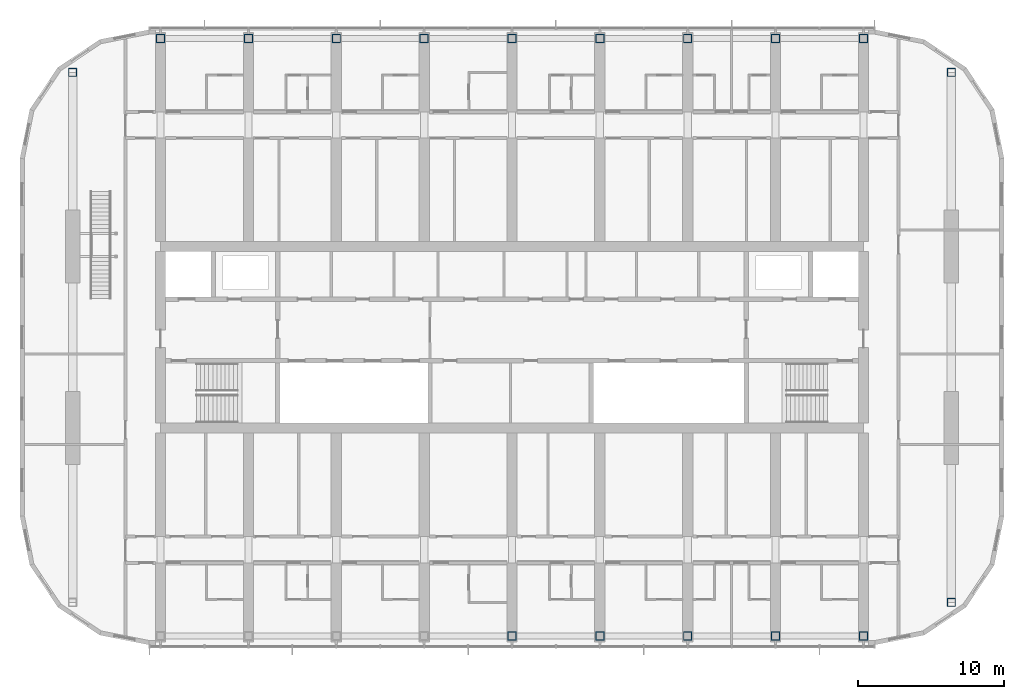
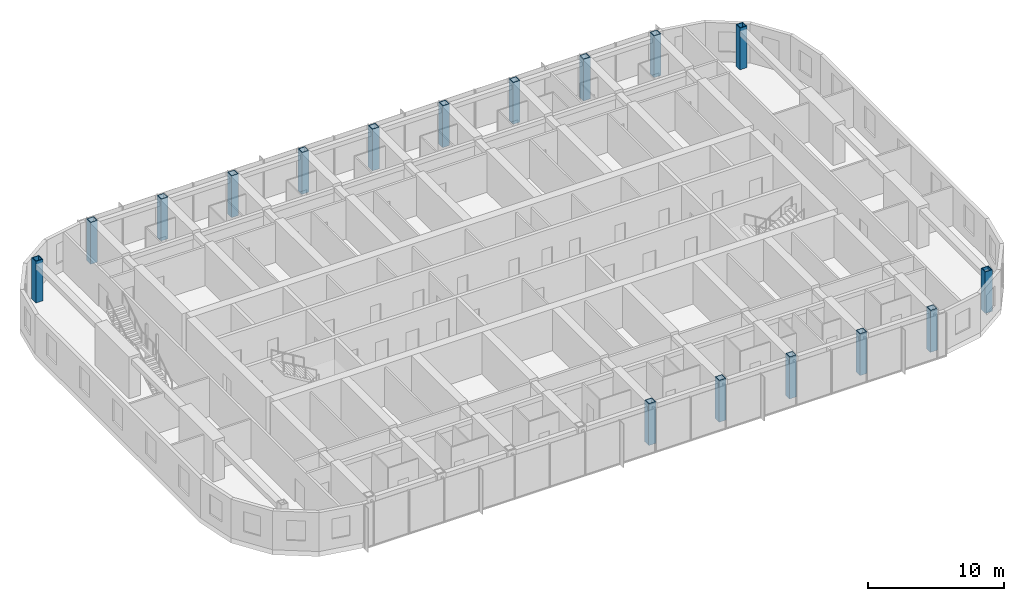
# One storey, part 3 of 28: 17 columns.
"""IFC4 building model written with IfcOpenShell, lengths in metres."""

import ifcopenshell
import ifcopenshell.guid

model = None  # the IFC model being written
_history = None  # IfcOwnerHistory: only IFC2X3 demands one
_inside = {}  # id of a spatial element -> (the spatial element, [elements in it])
_under = {}  # id of a project, library or spatial element -> (it, [spatial elements below it])
_declared = {}  # id of a project -> (the project, [libraries it declares])
_typed = {}  # id of a type object -> (the type object, [elements of that type])
_made_of = {}  # id of a material, layer set ... -> (it, [elements and type objects made of it])


def new_model(schema):
    """Start an empty IFC model of exactly this schema.

    Asked for "IFC4X3", IfcOpenShell would pick the latest addendum, in which some entities
    have other attributes; the version numbers below select the first issue.
    IFC2X3 requires an IfcOwnerHistory on every rooted entity: one is made here for all.
    """
    global model, _history
    if schema == "IFC4X3":
        model = ifcopenshell.file(schema_version=(4, 3, 0, 0))
    else:
        model = ifcopenshell.file(schema=schema)
    _inside.clear()
    _under.clear()
    _declared.clear()
    _typed.clear()
    _made_of.clear()
    _history = None
    if model.schema == "IFC2X3":
        org = make("IfcOrganization", Name="unknown")
        user = make(
            "IfcPersonAndOrganization",
            ThePerson=make("IfcPerson", FamilyName="unknown"),
            TheOrganization=org,
        )
        app = make(
            "IfcApplication",
            ApplicationDeveloper=org,
            Version="unknown",
            ApplicationFullName="unknown",
            ApplicationIdentifier="unknown",
        )
        _history = make(
            "IfcOwnerHistory",
            OwningUser=user,
            OwningApplication=app,
            ChangeAction="ADDED",
            CreationDate=0,
        )
    return model


def make(cls, **values):
    """One entity of the class cls with the attributes given. An attribute that is None is left unset."""
    return model.create_entity(
        cls, **{name: value for name, value in values.items() if value is not None}
    )


def rooted(cls, **values):
    """An entity with a GlobalId (a new one), such as an element, a storey or a relation."""
    return make(cls, GlobalId=ifcopenshell.guid.new(), OwnerHistory=_history, **values)


def si_unit(unit_type, name, prefix=None):
    """IfcSIUnit, for example si_unit("LENGTHUNIT", "METRE", prefix="MILLI")."""
    return make("IfcSIUnit", UnitType=unit_type, Prefix=prefix, Name=name)


def assignment(units):
    """IfcUnitAssignment: the units of a project."""
    return None if units is None else make("IfcUnitAssignment", Units=units)


def point(xyz):
    """IfcCartesianPoint."""
    return None if xyz is None else make("IfcCartesianPoint", Coordinates=xyz)


def direction(xyz):
    """IfcDirection."""
    return None if xyz is None else make("IfcDirection", DirectionRatios=xyz)


def frame(location, z_axis=None, x_axis=None):
    """IfcAxis2Placement3D, a coordinate frame: its origin and axes. An axis left out is left unset."""
    return make(
        "IfcAxis2Placement3D",
        Location=point(location),
        Axis=direction(z_axis),
        RefDirection=direction(x_axis),
    )


def frame_2d(location, x_axis=None):
    """IfcAxis2Placement2D, a coordinate frame in the plane: its origin and x axis."""
    return make(
        "IfcAxis2Placement2D", Location=point(location), RefDirection=direction(x_axis)
    )


def origin():
    """The frame at (0, 0, 0) with its axes left unset."""
    return frame((0.0, 0.0, 0.0))


def origin_2d():
    """The frame at (0, 0) in the plane with its x axis left unset."""
    return frame_2d((0.0, 0.0))


def place(relative_to, where):
    """IfcLocalPlacement: puts the frame where relative to a parent placement (None: the world)."""
    return make(
        "IfcLocalPlacement", PlacementRelTo=relative_to, RelativePlacement=where
    )


def context(
    kind, dimensions, precision=None, world=None, true_north=None, identifier=None
):
    """IfcGeometricRepresentationContext, for example the 3D "Model" context."""
    return make(
        "IfcGeometricRepresentationContext",
        ContextIdentifier=identifier,
        ContextType=kind,
        CoordinateSpaceDimension=dimensions,
        Precision=precision,
        WorldCoordinateSystem=world,
        TrueNorth=true_north,
    )


def subcontext(parent, identifier, kind, view, scale=None):
    """IfcGeometricRepresentationSubContext, for example "Body" below "Model"."""
    return make(
        "IfcGeometricRepresentationSubContext",
        ContextIdentifier=identifier,
        ContextType=kind,
        ParentContext=parent,
        TargetScale=scale,
        TargetView=view,
    )


def project(units=None, contexts=None):
    """IfcProject with its units and contexts."""
    return rooted(
        "IfcProject",
        Name="project",
        RepresentationContexts=contexts,
        UnitsInContext=assignment(units),
    )


def spatial(cls, under=None, at=None, **own):
    """A site, building, storey or space (cls), placed at a placement, below another one or the project."""
    s = rooted(cls, ObjectPlacement=at, **own)
    if under is not None:
        _under.setdefault(under.id(), (under, []))[1].append(s)
    return s


def profile(cls, at=None, kind="AREA", **sizes):
    """A parametric profile (cls). Its sizes go by their IFC names, for example OverallWidth=200.0."""
    return make(cls, ProfileType=kind, Position=at, **sizes)


def hollow_rectangle(**sizes):
    """IfcRectangleHollowProfileDef."""
    return profile("IfcRectangleHollowProfileDef", **sizes)


def extrude(swept, where, along, depth):
    """IfcExtrudedAreaSolid: the profile swept, set in the frame where, extruded along a direction by depth."""
    return make(
        "IfcExtrudedAreaSolid",
        SweptArea=swept,
        Position=where,
        ExtrudedDirection=direction(along),
        Depth=depth,
    )


def shape(context_of_items, identifier, shape_type, items):
    """IfcShapeRepresentation: the items that make up one representation, for example the "Body"."""
    return make(
        "IfcShapeRepresentation",
        ContextOfItems=context_of_items,
        RepresentationIdentifier=identifier,
        RepresentationType=shape_type,
        Items=items,
    )


def material(Name=None, Category=None):
    """IfcMaterial."""
    return make("IfcMaterial", Name=Name, Category=Category)


def material_profile(
    of_material, cross_section, Name=None, Category=None, Priority=None
):
    """IfcMaterialProfile: a cross section and its material."""
    return make(
        "IfcMaterialProfile",
        Name=Name,
        Material=of_material,
        Profile=cross_section,
        Priority=Priority,
        Category=Category,
    )


def profile_set(profiles, Name=None, composite=None):
    """IfcMaterialProfileSet."""
    return make(
        "IfcMaterialProfileSet",
        Name=Name,
        MaterialProfiles=profiles,
        CompositeProfile=composite,
    )


def made_of(thing, what):
    """Note that an element or type object is made of a material, layer set ...; save() writes the relation."""
    if what is not None:
        _made_of.setdefault(what.id(), (what, []))[1].append(thing)
    return thing


def type_object(cls, material=None, **own):
    """A type object (cls), such as IfcWallType, which elements share."""
    return made_of(rooted(cls, **own), material)


def element(
    cls,
    number,
    at=None,
    inside=None,
    cuts=None,
    type_object=None,
    material=None,
    context=None,
    identifier="Body",
    shape_type=None,
    held_by="IfcProductDefinitionShape",
    body=None,
    shapes=None,
    **own,
):
    """One element of the class cls, such as IfcWall. Its Tag is "e" and its number.

    at: its placement. inside: the storey or other place that contains it. cuts: it is an
    opening in that element (IfcRelVoidsElement). A single representation is given by context,
    identifier, shape_type and body (its items); several are given by shapes. held_by: the class
    of the entity that holds the representations. save() writes the other relations.
    """
    e = rooted(cls, Tag="e%d" % number, ObjectPlacement=at, **own)
    if body is not None:
        shapes = [shape(context, identifier, shape_type, body)]
    if shapes is not None:
        e.Representation = make(held_by, Representations=shapes)
    if inside is not None:
        _inside.setdefault(inside.id(), (inside, []))[1].append(e)
    if cuts is not None:
        rooted(
            "IfcRelVoidsElement", RelatingBuildingElement=cuts, RelatedOpeningElement=e
        )
    if type_object is not None:
        _typed.setdefault(type_object.id(), (type_object, []))[1].append(e)
    return made_of(e, material)


def aggregate(whole, parts):
    """IfcRelAggregates: a whole, such as a stair, and the parts it consists of."""
    return rooted("IfcRelAggregates", RelatingObject=whole, RelatedObjects=parts)


def save(model, path):
    """Write the relations noted so far, then the file.

    IfcRelAggregates (storeys below a building ...), IfcRelContainedInSpatialStructure (elements
    in a storey), IfcRelDefinesByType, IfcRelAssociatesMaterial and IfcRelDeclares: one each for
    every whole, place, type object, material and project.
    """
    for whole, parts in _under.values():
        aggregate(whole, parts)
    for where, things in _inside.values():
        rooted(
            "IfcRelContainedInSpatialStructure",
            RelatedElements=things,
            RelatingStructure=where,
        )
    for kind, things in _typed.values():
        rooted("IfcRelDefinesByType", RelatedObjects=things, RelatingType=kind)
    for what, things in _made_of.values():
        rooted("IfcRelAssociatesMaterial", RelatedObjects=things, RelatingMaterial=what)
    for by, libraries in _declared.values():
        rooted("IfcRelDeclares", RelatingContext=by, RelatedDefinitions=libraries)
    model.write(path)


model = new_model("IFC4")

# Units and contexts
model_context = context("Model", 3, precision=1e-05, world=origin(), true_north=direction((0.0, 1.0)))
body_context = subcontext(model_context, "Body", "Model", "MODEL_VIEW")
ifc_project = project(units=[si_unit("LENGTHUNIT", "METRE"), si_unit("AREAUNIT", "SQUARE_METRE"), si_unit("VOLUMEUNIT", "CUBIC_METRE"), si_unit("PLANEANGLEUNIT", "RADIAN"), si_unit("MASSUNIT", "GRAM", prefix="KILO")], contexts=[model_context])

# Site, building, storey
site_placement = place(None, origin())
site = spatial("IfcSite", under=ifc_project, at=site_placement, CompositionType="ELEMENT")
building_placement = place(site_placement, origin())
building = spatial("IfcBuilding", under=site, at=building_placement, Name="Orbita Commons", CompositionType="ELEMENT")
storey_placement = place(building_placement, frame((0.0, 0.0, 216.550048828125)))
storey = spatial("IfcBuildingStorey", under=building, at=storey_placement, Name="L53", CompositionType="ELEMENT", Elevation=216.550048828125)

# Columns
ifc_material = material(Name="Steel ASTM A572 Gr 50 welded plate", Category="steel")
ifc_material_profile = material_profile(ifc_material, hollow_rectangle(XDim=0.60009765625, YDim=0.60009765625, WallThickness=0.06005859375, at=origin_2d()), Name="BOX 600x600x60")
ifc_profile_set = profile_set([ifc_material_profile], Name="Steel ASTM A572 Gr 50 welded plate")
column_type = type_object("IfcColumnType", Name="Steel column BOX 600x600x60", PredefinedType="COLUMN", material=ifc_profile_set)
for number, where, z_axis, x_axis, name in (
    (1, (18.0, 52.39990234375, 0.0), (0.0, 0.0, 1.0), (1.0, 0.0, 0.0), "Column 4/E L53"),
    (2, (24.0, 52.39990234375, 0.0), (0.0, 0.0, 1.0), (1.0, 0.0, 0.0), "Column 5/E L53"),
    (3, (30.0, 52.39990234375, 0.0), (0.0, 0.0, 1.0), (1.0, 0.0, 0.0), "Column 6/E L53"),
    (4, (36.0, 52.39990234375, 0.0), (0.0, 0.0, 1.0), (1.0, 0.0, 0.0), "Column 7/E L53"),
    (5, (42.0, 11.60009765625, 0.0), (0.0, 0.0, 1.0), (1.0, 0.0, 0.0), "Column 8/B L53"),
    (6, (42.0, 52.39990234375, 0.0), (0.0, 0.0, 1.0), (1.0, 0.0, 0.0), "Column 8/E L53"),
    (7, (48.0, 11.60009765625, 0.0), (0.0, 0.0, 1.0), (1.0, 0.0, 0.0), "Column 9/B L53"),
    (8, (48.0, 52.39990234375, 0.0), (0.0, 0.0, 1.0), (1.0, 0.0, 0.0), "Column 9/E L53"),
    (9, (54.0, 11.60009765625, 0.0), (0.0, 0.0, 1.0), (1.0, 0.0, 0.0), "Column 10/B L53"),
    (10, (54.0, 52.39990234375, 0.0), (0.0, 0.0, 1.0), (1.0, 0.0, 0.0), "Column 10/E L53"),
    (11, (60.0, 11.60009765625, 0.0), (0.0, 0.0, 1.0), (1.0, 0.0, 0.0), "Column 11/B L53"),
    (12, (60.0, 52.39990234375, 0.0), (0.0, 0.0, 1.0), (1.0, 0.0, 0.0), "Column 11/E L53"),
    (13, (66.0, 11.60009765625, 0.0), (0.0, 0.0, 1.0), (1.0, 0.0, 0.0), "Column 12/B L53"),
    (14, (66.0, 52.39990234375, 0.0), (0.0, 0.0, 1.0), (1.0, 0.0, 0.0), "Column 12/E L53"),
    (15, (12.0, 50.10009765625, 0.0), (0.0, 0.0, 1.0), (1.0, 0.0, 0.0), "Column 3/50.1 L53"),
    (16, (72.0, 13.89990234375, 0.0), (0.0, 0.0, 1.0), (1.0, 0.0, 0.0), "Column 13/13.9 L53"),
    (17, (72.0, 50.10009765625, 0.0), (0.0, 0.0, 1.0), (1.0, 0.0, 0.0), "Column 13/50.1 L53"),
):
    element("IfcColumn", number, at=place(storey_placement, frame(where, z_axis=z_axis, x_axis=x_axis)), inside=storey, type_object=column_type, Name=name, PredefinedType="COLUMN", context=body_context, shape_type="SweptSolid", body=[
        extrude(hollow_rectangle(XDim=0.60009765625, YDim=0.60009765625, WallThickness=0.06005859375, at=origin_2d()), origin(), (0.0, 0.0, 1.0), 3.75),
    ])

save(model, "model.ifc")
